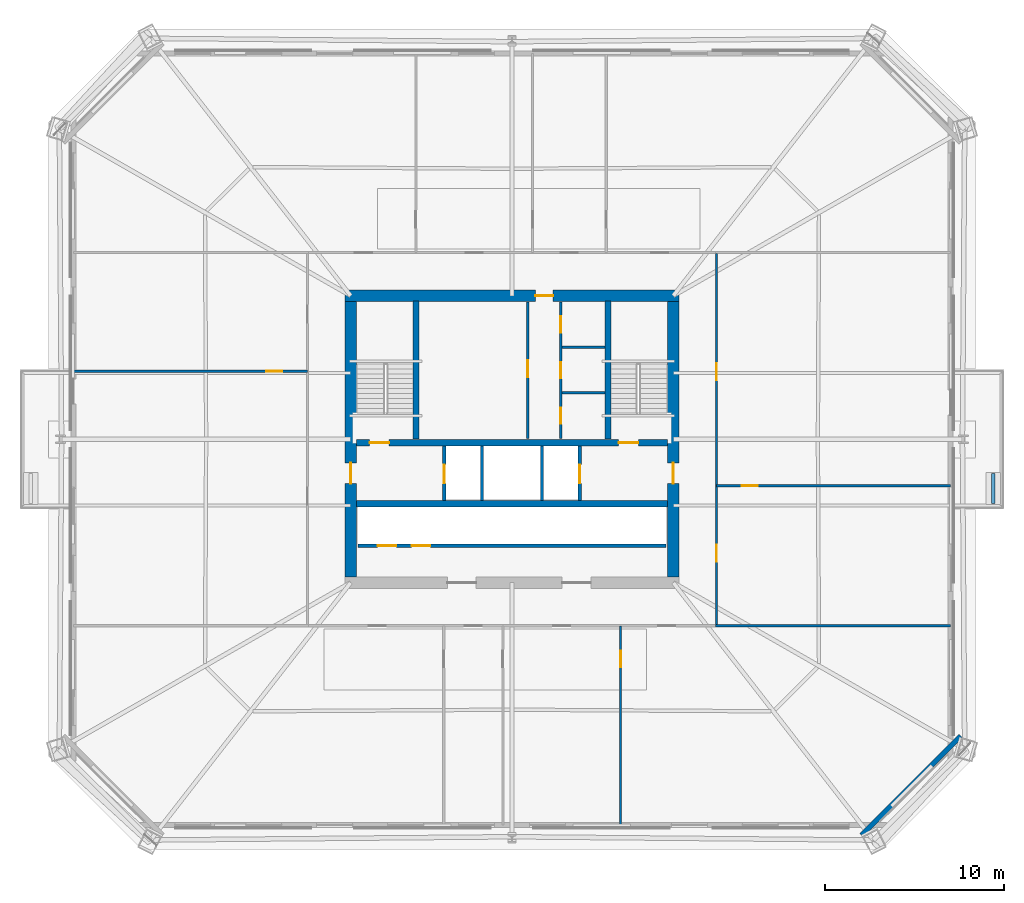
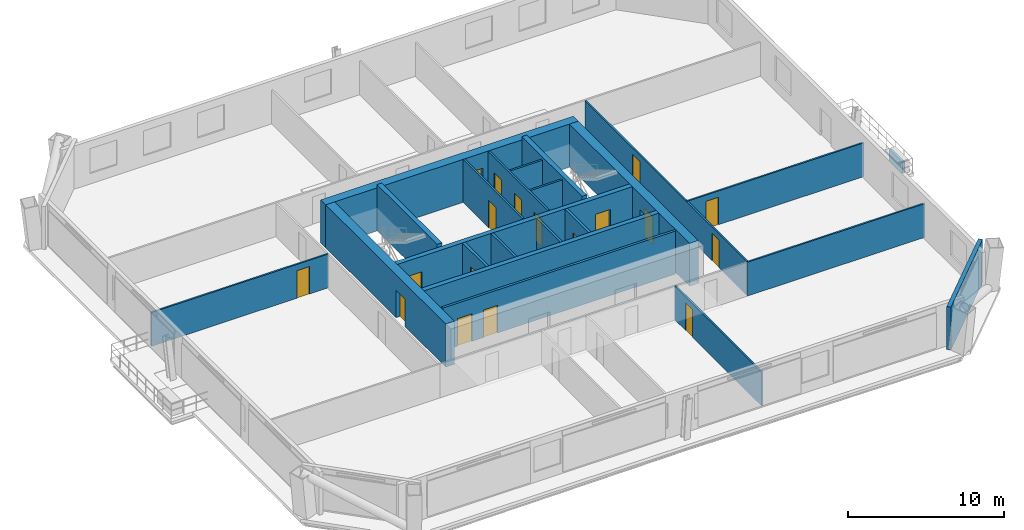
# One storey, part 6 of 11: 23 walls, 18 doors, 18 openings.
"""IFC4 building model written with IfcOpenShell, lengths in metres."""

from ifc_helpers import new_model, si_unit, direction, frame, frame_2d, origin, place, context, subcontext, project, spatial, rectangle, extrude, material, layer, layer_set, type_object, element, fill, save


model = new_model("IFC4")

# Units and contexts
model_context = context("Model", 3, precision=1e-05, world=origin(), true_north=direction((0.0, 1.0)))
body_context = subcontext(model_context, "Body", "Model", "MODEL_VIEW")
ifc_project = project(units=[si_unit("LENGTHUNIT", "METRE"), si_unit("AREAUNIT", "SQUARE_METRE"), si_unit("VOLUMEUNIT", "CUBIC_METRE"), si_unit("PLANEANGLEUNIT", "RADIAN"), si_unit("MASSUNIT", "GRAM", prefix="KILO")], contexts=[model_context])

# Site, building, storey
site_placement = place(None, origin())
site = spatial("IfcSite", under=ifc_project, at=site_placement, CompositionType="ELEMENT")
building_placement = place(site_placement, origin())
building = spatial("IfcBuilding", under=site, at=building_placement, Name="Caelvoria Tower", CompositionType="ELEMENT")
storey_placement = place(building_placement, frame((0.0, 0.0, 67.60009765625)))
storey = spatial("IfcBuildingStorey", under=building, at=storey_placement, Name="L17", CompositionType="ELEMENT", Elevation=67.60009765625)

# Wall
ifc_material_1 = material(Name="Bronze-Clad Concrete C40/50", Category="concrete")
ifc_layer_1 = layer(ifc_material_1, 0.179931640625, Name="Bronze-Clad Concrete C40/50")
ifc_layer_set_1 = layer_set([ifc_layer_1], Name="Architectural Planter Kerb Wall 180 - Bronze-Clad Concrete C40/50")
wall_type_1 = type_object("IfcWallType", Name="Architectural Planter Kerb Wall 180", PredefinedType="PARAPET", material=ifc_layer_set_1)
wall_1_placement = place(storey_placement, frame((72.85009765625, 28.39990234375, 0.0), z_axis=(0.0, 0.0, 1.0), x_axis=(0.0, 1.0, 0.0)))
element("IfcWall", 1, at=wall_1_placement, inside=storey, type_object=wall_type_1, Name="Tree Balcony Planter Kerb PLANTER TB-L17-E", PredefinedType="PARAPET", context=body_context, shape_type="SweptSolid", body=[
    extrude(rectangle(XDim=1.7001953125, YDim=0.179931640625, at=frame_2d((0.85009765625, 0.0))), origin(), (0.0, 0.0, 1.0), 0.8798828125),
])

# Wall, openings, doors
ifc_material_2 = material(Name="Concrete C50/60", Category="concrete")
ifc_layer_2 = layer(ifc_material_2, 0.35009765625, Name="Concrete C50/60")
ifc_layer_set_2 = layer_set([ifc_layer_2], Name="Core Internal Shear Wall 350 - Concrete C50/60")
wall_type_2 = type_object("IfcWallType", Name="Core Internal Shear Wall 350", PredefinedType="SHEAR", material=ifc_layer_set_2)
wall_2_placement = place(storey_placement, frame((37.324951171875, 31.800048828125, 0.0), z_axis=(0.0, 0.0, 1.0), x_axis=(1.0, 0.0, 0.0)))
wall_2 = element("IfcWall", 2, at=wall_2_placement, inside=storey, type_object=wall_type_2, Name="Core Shear Wall L17 M1", PredefinedType="SHEAR", context=body_context, shape_type="SweptSolid", body=[
    extrude(rectangle(XDim=17.35009765625, YDim=0.35009765625, at=frame_2d((8.675048828125, 0.0))), origin(), (0.0, 0.0, 1.0), 3.35986328125),
])
opening_1_placement = place(wall_2_placement, frame((0.72509765625, 0.0, 0.0)))
opening_1 = element("IfcOpeningElement", 3, at=opening_1_placement, cuts=wall_2, Name="Opening ID-01", PredefinedType="OPENING", context=body_context, shape_type="SweptSolid", body=[
    extrude(rectangle(XDim=1.10009765625, YDim=2.14990234375, at=frame_2d((0.550048828125, 1.074951171875))), frame((0.0, 0.18505859375, 0.0), z_axis=(0.0, -1.0, 0.0), x_axis=(1.0, 0.0, 0.0)), (0.0, 0.0, 1.0), 0.3701171875),
])
opening_2_placement = place(wall_2_placement, frame((14.625, 0.0, 0.0)))
opening_2 = element("IfcOpeningElement", 4, at=opening_2_placement, cuts=wall_2, Name="Opening ID-01", PredefinedType="OPENING", context=body_context, shape_type="SweptSolid", body=[
    extrude(rectangle(XDim=1.10009765625, YDim=2.14990234375, at=frame_2d((0.550048828125, 1.074951171875))), frame((0.0, 0.18505859375, 0.0), z_axis=(0.0, -1.0, 0.0), x_axis=(1.0, 0.0, 0.0)), (0.0, 0.0, 1.0), 0.3701171875),
])
ifc_material_3 = material(Name="Painted Hollow Steel Fire Door", Category="steel")
door_type_1 = type_object("IfcDoorType", Name="Fire Door FD90S 1100x2150", OperationType="NOTDEFINED", PredefinedType="DOOR", material=ifc_material_3)
door_1_placement = place(opening_1_placement, origin())
door_1 = element("IfcDoor", 5, at=door_1_placement, inside=storey, type_object=door_type_1, Name="Core Door DR-L17-ST1", OperationType="SINGLE_SWING_LEFT", OverallHeight=2.14990234375, OverallWidth=1.10009765625, PredefinedType="DOOR", context=body_context, shape_type="SweptSolid", body=[
    extrude(rectangle(XDim=1.10009765625, YDim=2.14990234375, at=frame_2d((0.550048828125, 1.074951171875))), frame((0.0, 0.02490234375, 0.0), z_axis=(0.0, -1.0, 0.0), x_axis=(1.0, 0.0, 0.0)), (0.0, 0.0, 1.0), 0.050048828125),
])
fill(opening_1, door_1)
door_2_placement = place(opening_2_placement, origin())
door_2 = element("IfcDoor", 6, at=door_2_placement, inside=storey, type_object=door_type_1, Name="Core Door DR-L17-ST2", OperationType="SINGLE_SWING_RIGHT", OverallHeight=2.14990234375, OverallWidth=1.10009765625, PredefinedType="DOOR", context=body_context, shape_type="SweptSolid", body=[
    extrude(rectangle(XDim=1.10009765625, YDim=2.14990234375, at=frame_2d((0.550048828125, 1.074951171875))), frame((0.0, 0.02490234375, 0.0), z_axis=(0.0, -1.0, 0.0), x_axis=(1.0, 0.0, 0.0)), (0.0, 0.0, 1.0), 0.050048828125),
])
fill(opening_2, door_2)

# Walls
wall_3_placement = place(storey_placement, frame((37.324951171875, 28.39990234375, 0.0), z_axis=(0.0, 0.0, 1.0), x_axis=(1.0, 0.0, 0.0)))
element("IfcWall", 7, at=wall_3_placement, inside=storey, type_object=wall_type_2, Name="Core Shear Wall L17 M2", PredefinedType="SHEAR", context=body_context, shape_type="SweptSolid", body=[
    extrude(rectangle(XDim=17.35009765625, YDim=0.35009765625, at=frame_2d((8.675048828125, 0.0))), origin(), (0.0, 0.0, 1.0), 3.35986328125),
])
for number, where, z_axis, x_axis, name in (
    (8, (40.64990234375, 32.0, 0.0), (0.0, 0.0, 1.0), (0.0, 1.0, 0.0), "Interior Partition IW-L17-ST1E"),
    (9, (51.35009765625, 32.0, 0.0), (0.0, 0.0, 1.0), (0.0, 1.0, 0.0), "Interior Partition IW-L17-ST2W"),
):
    element("IfcWall", number, at=place(storey_placement, frame(where, z_axis=z_axis, x_axis=x_axis)), inside=storey, type_object=wall_type_2, Name=name, PredefinedType="SHEAR", context=body_context, shape_type="SweptSolid", body=[
        extrude(rectangle(XDim=7.699951171875, YDim=0.35009765625, at=frame_2d((3.85009765625, 0.0))), origin(), (0.0, 0.0, 1.0), 3.599853515625),
    ])

# Wall, opening, door
ifc_material_4 = material(Name="Moisture-Resistant Gypsum on Steel Stud", Category="steel")
ifc_layer_3 = layer(ifc_material_4, 0.139892578125, Name="Moisture-Resistant Gypsum on Steel Stud")
ifc_layer_set_3 = layer_set([ifc_layer_3], Name="Core Sanitary Acoustic Partition Wall 140 - Moisture-Resistant Gypsum on Steel Stud")
wall_type_3 = type_object("IfcWallType", Name="Core Sanitary Acoustic Partition Wall 140", PredefinedType="PARTITIONING", material=ifc_layer_set_3)
wall_4_placement = place(storey_placement, frame((46.8798828125, 32.050048828125, 0.0), z_axis=(0.0, 0.0, 1.0), x_axis=(0.0, 1.0, 0.0)))
wall_4 = element("IfcWall", 10, at=wall_4_placement, inside=storey, type_object=wall_type_3, Name="Interior Partition IW-L17-C2L", PredefinedType="PARTITIONING", context=body_context, shape_type="SweptSolid", body=[
    extrude(rectangle(XDim=7.599853515625, YDim=0.139892578125, at=frame_2d((3.7998046875, 0.0))), origin(), (0.0, 0.0, 1.0), 3.35986328125),
])
opening_3_placement = place(wall_4_placement, frame((3.39990234375, 0.0, 0.0)))
opening_3 = element("IfcOpeningElement", 11, at=opening_3_placement, cuts=wall_4, Name="Opening ID-05", PredefinedType="OPENING", context=body_context, shape_type="SweptSolid", body=[
    extrude(rectangle(XDim=0.949951171875, YDim=2.14990234375, at=frame_2d((0.47509765625, 1.074951171875))), frame((0.0, 0.079833984375, 0.0), z_axis=(0.0, -1.0, 0.0), x_axis=(1.0, 0.0, 0.0)), (0.0, 0.0, 1.0), 0.159912109375),
])
ifc_material_5 = material(Name="Engineered Andean Oak Veneer Door", Category="wood")
door_type_2 = type_object("IfcDoorType", Name="Interior Timber Door 950x2150", OperationType="NOTDEFINED", PredefinedType="DOOR", material=ifc_material_5)
door_3_placement = place(opening_3_placement, origin())
door_3 = element("IfcDoor", 12, at=door_3_placement, inside=storey, type_object=door_type_2, Name="Interior Door DR-L17-C2W", OperationType="SINGLE_SWING_LEFT", OverallHeight=2.14990234375, OverallWidth=0.949951171875, PredefinedType="DOOR", context=body_context, shape_type="SweptSolid", body=[
    extrude(rectangle(XDim=0.949951171875, YDim=2.14990234375, at=frame_2d((0.47509765625, 1.074951171875))), frame((0.0, 0.02490234375, 0.0), z_axis=(0.0, -1.0, 0.0), x_axis=(1.0, 0.0, 0.0)), (0.0, 0.0, 1.0), 0.050048828125),
])
fill(opening_3, door_3)

# Wall, openings, doors
wall_5_placement = place(storey_placement, frame((48.719970703125, 32.050048828125, 0.0), z_axis=(0.0, 0.0, 1.0), x_axis=(0.0, 1.0, 0.0)))
wall_5 = element("IfcWall", 13, at=wall_5_placement, inside=storey, type_object=wall_type_3, Name="Interior Partition IW-L17-C2R", PredefinedType="PARTITIONING", context=body_context, shape_type="SweptSolid", body=[
    extrude(rectangle(XDim=7.599853515625, YDim=0.139892578125, at=frame_2d((3.7998046875, 0.0))), origin(), (0.0, 0.0, 1.0), 3.35986328125),
])
opening_4_placement = place(wall_5_placement, frame((0.800048828125, 0.0, 0.0)))
opening_4 = element("IfcOpeningElement", 14, at=opening_4_placement, cuts=wall_5, Name="Opening ID-04", PredefinedType="OPENING", context=body_context, shape_type="SweptSolid", body=[
    extrude(rectangle(XDim=0.89990234375, YDim=2.14990234375, at=frame_2d((0.449951171875, 1.074951171875))), frame((0.0, 0.079833984375, 0.0), z_axis=(0.0, -1.0, 0.0), x_axis=(1.0, 0.0, 0.0)), (0.0, 0.0, 1.0), 0.159912109375),
])
opening_5_placement = place(wall_5_placement, frame((3.35009765625, 0.0, 0.0)))
opening_5 = element("IfcOpeningElement", 15, at=opening_5_placement, cuts=wall_5, Name="Opening ID-06", PredefinedType="OPENING", context=body_context, shape_type="SweptSolid", body=[
    extrude(rectangle(XDim=0.89990234375, YDim=2.14990234375, at=frame_2d((0.449951171875, 1.074951171875))), frame((0.0, 0.079833984375, 0.0), z_axis=(0.0, -1.0, 0.0), x_axis=(1.0, 0.0, 0.0)), (0.0, 0.0, 1.0), 0.159912109375),
])
opening_6_placement = place(wall_5_placement, frame((5.89990234375, 0.0, 0.0)))
opening_6 = element("IfcOpeningElement", 16, at=opening_6_placement, cuts=wall_5, Name="Opening ID-07", PredefinedType="OPENING", context=body_context, shape_type="SweptSolid", body=[
    extrude(rectangle(XDim=0.919921875, YDim=2.14990234375, at=frame_2d((0.4599609375, 1.074951171875))), frame((0.0, 0.079833984375, 0.0), z_axis=(0.0, -1.0, 0.0), x_axis=(1.0, 0.0, 0.0)), (0.0, 0.0, 1.0), 0.159912109375),
])
ifc_material_6 = material(Name="Engineered Andean Oak Accessible Door", Category="wood")
door_type_3 = type_object("IfcDoorType", Name="Accessible WC Door 950x2150", OperationType="NOTDEFINED", PredefinedType="DOOR", material=ifc_material_6)
door_4_placement = place(opening_6_placement, origin())
door_4 = element("IfcDoor", 17, at=door_4_placement, inside=storey, type_object=door_type_3, Name="Interior Door DR-L17-C2E3", OperationType="SINGLE_SWING_RIGHT", OverallHeight=2.14990234375, OverallWidth=0.919921875, PredefinedType="DOOR", context=body_context, shape_type="SweptSolid", body=[
    extrude(rectangle(XDim=0.919921875, YDim=2.14990234375, at=frame_2d((0.4599609375, 1.074951171875))), frame((0.0, 0.02490234375, 0.0), z_axis=(0.0, -1.0, 0.0), x_axis=(1.0, 0.0, 0.0)), (0.0, 0.0, 1.0), 0.050048828125),
])
fill(opening_6, door_4)
ifc_material_7 = material(Name="Acoustic Timber Fire Door", Category="wood")
door_type_4 = type_object("IfcDoorType", Name="Fire Door FD30S 900x2150", OperationType="NOTDEFINED", PredefinedType="DOOR", material=ifc_material_7)
door_5_placement = place(opening_4_placement, origin())
door_5 = element("IfcDoor", 18, at=door_5_placement, inside=storey, type_object=door_type_4, Name="Interior Door DR-L17-C2E1", OperationType="SINGLE_SWING_RIGHT", OverallHeight=2.14990234375, OverallWidth=0.89990234375, PredefinedType="DOOR", context=body_context, shape_type="SweptSolid", body=[
    extrude(rectangle(XDim=0.89990234375, YDim=2.14990234375, at=frame_2d((0.449951171875, 1.074951171875))), frame((0.0, 0.02490234375, 0.0), z_axis=(0.0, -1.0, 0.0), x_axis=(1.0, 0.0, 0.0)), (0.0, 0.0, 1.0), 0.050048828125),
])
fill(opening_4, door_5)
door_type_5 = type_object("IfcDoorType", Name="Interior Timber Door 900x2150", OperationType="NOTDEFINED", PredefinedType="DOOR", material=ifc_material_5)
door_6_placement = place(opening_5_placement, origin())
door_6 = element("IfcDoor", 19, at=door_6_placement, inside=storey, type_object=door_type_5, Name="Interior Door DR-L17-C2E2", OperationType="SINGLE_SWING_LEFT", OverallHeight=2.14990234375, OverallWidth=0.89990234375, PredefinedType="DOOR", context=body_context, shape_type="SweptSolid", body=[
    extrude(rectangle(XDim=0.89990234375, YDim=2.14990234375, at=frame_2d((0.449951171875, 1.074951171875))), frame((0.0, 0.02490234375, 0.0), z_axis=(0.0, -1.0, 0.0), x_axis=(1.0, 0.0, 0.0)), (0.0, 0.0, 1.0), 0.050048828125),
])
fill(opening_5, door_6)

# Walls
for number, where, z_axis, x_axis, name in (
    (20, (48.800048828125, 34.580078125, 0.0), (0.0, 0.0, 1.0), (1.0, 0.0, 0.0), "Interior Partition IW-L17-C2H1"),
    (21, (48.800048828125, 37.1201171875, 0.0), (0.0, 0.0, 1.0), (1.0, 0.0, 0.0), "Interior Partition IW-L17-C2H2"),
):
    element("IfcWall", number, at=place(storey_placement, frame(where, z_axis=z_axis, x_axis=x_axis)), inside=storey, type_object=wall_type_3, Name=name, PredefinedType="PARTITIONING", context=body_context, shape_type="SweptSolid", body=[
        extrude(rectangle(XDim=2.39990234375, YDim=0.139892578125, at=frame_2d((1.199951171875, 0.0))), origin(), (0.0, 0.0, 1.0), 3.35986328125),
    ])
ifc_material_8 = material(Name="Precast Concrete C40/50 with Bronze Cladding", Category="concrete")
ifc_layer_4 = layer(ifc_material_8, 0.280029296875, Name="Precast Concrete C40/50 with Bronze Cladding")
ifc_layer_set_4 = layer_set([ifc_layer_4], Name="Exterior Precast Concrete C40/50 Bronze-Clad Facade Wall 280 - Precast Concrete C40/50 with Bronze Cladding")
wall_type_4 = type_object("IfcWallType", Name="Exterior Precast Concrete C40/50 Bronze-Clad Facade Wall 280", PredefinedType="STANDARD", material=ifc_layer_set_4)
wall_6_placement = place(storey_placement, frame((65.50439453125, 9.906005859375, 0.0), z_axis=(0.0, 0.0, 1.0), x_axis=(0.707106781187, 0.707106781187, 0.0)))
element("IfcWall", 22, at=wall_6_placement, inside=storey, type_object=wall_type_4, Name="Exterior Facade Wall L17-E1", PredefinedType="STANDARD", context=body_context, shape_type="SweptSolid", body=[
    extrude(rectangle(XDim=7.834228515625, YDim=0.280029296875, at=frame_2d((3.9169921875, 0.0))), origin(), (0.0, 0.0, 1.0), 3.35986328125),
])
ifc_material_9 = material(Name="Concrete Block and Fireboard Assembly", Category="concrete")
ifc_layer_5 = layer(ifc_material_9, 0.179931640625, Name="Concrete Block and Fireboard Assembly")
ifc_layer_set_5 = layer_set([ifc_layer_5], Name="Fire-Rated Hoistway Partition Wall 180 - Concrete Block and Fireboard Assembly")
wall_type_5 = type_object("IfcWallType", Name="Fire-Rated Hoistway Partition Wall 180", PredefinedType="PARTITIONING", material=ifc_layer_set_5)
for number, where, z_axis, x_axis, name in (
    (23, (44.320068359375, 28.580078125, 0.0), (0.0, 0.0, 1.0), (0.0, 1.0, 0.0), "Interior Partition IW-L17-SV1W"),
    (24, (47.679931640625, 28.580078125, 0.0), (0.0, 0.0, 1.0), (0.0, 1.0, 0.0), "Interior Partition IW-L17-SV1E"),
):
    element("IfcWall", number, at=place(storey_placement, frame(where, z_axis=z_axis, x_axis=x_axis)), inside=storey, type_object=wall_type_5, Name=name, PredefinedType="PARTITIONING", context=body_context, shape_type="SweptSolid", body=[
        extrude(rectangle(XDim=3.0400390625, YDim=0.179931640625, at=frame_2d((1.52001953125, 0.0))), origin(), (0.0, 0.0, 1.0), 3.35986328125),
    ])

# Wall, openings, doors
wall_7_placement = place(storey_placement, frame((37.39990234375, 26.050048828125, 0.0), z_axis=(0.0, 0.0, 1.0), x_axis=(1.0, 0.0, 0.0)))
wall_7 = element("IfcWall", 25, at=wall_7_placement, inside=storey, type_object=wall_type_5, Name="Interior Partition IW-L17-LFRONT", PredefinedType="PARTITIONING", context=body_context, shape_type="SweptSolid", body=[
    extrude(rectangle(XDim=17.2001953125, YDim=0.179931640625, at=frame_2d((8.60009765625, 0.0))), origin(), (0.0, 0.0, 1.0), 3.35986328125),
])
opening_7_placement = place(wall_7_placement, frame((1.10009765625, 0.0, 0.0)))
opening_7 = element("IfcOpeningElement", 26, at=opening_7_placement, cuts=wall_7, Name="Opening LD-01", PredefinedType="OPENING", context=body_context, shape_type="SweptSolid", body=[
    extrude(rectangle(XDim=1.050048828125, YDim=2.14990234375, at=frame_2d((0.52490234375, 1.074951171875))), frame((0.0, 0.099853515625, 0.0), z_axis=(0.0, -1.0, 0.0), x_axis=(1.0, 0.0, 0.0)), (0.0, 0.0, 1.0), 0.199951171875),
])
opening_8_placement = place(wall_7_placement, frame((3.0, 0.0, 0.0)))
opening_8 = element("IfcOpeningElement", 27, at=opening_8_placement, cuts=wall_7, Name="Opening LD-01", PredefinedType="OPENING", context=body_context, shape_type="SweptSolid", body=[
    extrude(rectangle(XDim=1.050048828125, YDim=2.14990234375, at=frame_2d((0.52490234375, 1.074951171875))), frame((0.0, 0.099853515625, 0.0), z_axis=(0.0, -1.0, 0.0), x_axis=(1.0, 0.0, 0.0)), (0.0, 0.0, 1.0), 0.199951171875),
])
ifc_material_10 = material(Name="Brushed Bronze Stainless Sliding Landing Door", Category="aluminium")
door_type_6 = type_object("IfcDoorType", Name="Lift Landing Sliding Door 1100x2150", OperationType="NOTDEFINED", PredefinedType="DOOR", material=ifc_material_10)
door_7_placement = place(opening_7_placement, origin())
door_7 = element("IfcDoor", 28, at=door_7_placement, inside=storey, type_object=door_type_6, Name="Interior Door LD-L17-PL1", OperationType="SLIDING_TO_LEFT", OverallHeight=2.14990234375, OverallWidth=1.050048828125, PredefinedType="DOOR", context=body_context, shape_type="SweptSolid", body=[
    extrude(rectangle(XDim=1.050048828125, YDim=2.14990234375, at=frame_2d((0.52490234375, 1.074951171875))), frame((0.0, 0.02490234375, 0.0), z_axis=(0.0, -1.0, 0.0), x_axis=(1.0, 0.0, 0.0)), (0.0, 0.0, 1.0), 0.050048828125),
])
fill(opening_7, door_7)
door_8_placement = place(opening_8_placement, origin())
door_8 = element("IfcDoor", 29, at=door_8_placement, inside=storey, type_object=door_type_6, Name="Interior Door LD-L17-PL2", OperationType="SLIDING_TO_RIGHT", OverallHeight=2.14990234375, OverallWidth=1.050048828125, PredefinedType="DOOR", context=body_context, shape_type="SweptSolid", body=[
    extrude(rectangle(XDim=1.050048828125, YDim=2.14990234375, at=frame_2d((0.52490234375, 1.074951171875))), frame((0.0, 0.02490234375, 0.0), z_axis=(0.0, -1.0, 0.0), x_axis=(1.0, 0.0, 0.0)), (0.0, 0.0, 1.0), 0.050048828125),
])
fill(opening_8, door_8)

# Wall, opening, door
ifc_layer_6 = layer(ifc_material_9, 0.199951171875, Name="Concrete Block and Fireboard Assembly")
ifc_layer_set_6 = layer_set([ifc_layer_6], Name="Fire-Rated Shaft and Core Partition Wall 200 - Concrete Block and Fireboard Assembly")
wall_type_6 = type_object("IfcWallType", Name="Fire-Rated Shaft and Core Partition Wall 200", PredefinedType="PARTITIONING", material=ifc_layer_set_6)
wall_8_placement = place(storey_placement, frame((42.219970703125, 28.580078125, 0.0), z_axis=(0.0, 0.0, 1.0), x_axis=(0.0, 1.0, 0.0)))
wall_8 = element("IfcWall", 30, at=wall_8_placement, inside=storey, type_object=wall_type_6, Name="Interior Partition IW-L17-LF1W", PredefinedType="PARTITIONING", context=body_context, shape_type="SweptSolid", body=[
    extrude(rectangle(XDim=3.0400390625, YDim=0.199951171875, at=frame_2d((1.52001953125, 0.0))), origin(), (0.0, 0.0, 1.0), 3.35986328125),
])
opening_9_placement = place(wall_8_placement, frame((0.949951171875, 0.0, 0.0)))
opening_9 = element("IfcOpeningElement", 31, at=opening_9_placement, cuts=wall_8, Name="Opening LD-01", PredefinedType="OPENING", context=body_context, shape_type="SweptSolid", body=[
    extrude(rectangle(XDim=1.050048828125, YDim=2.14990234375, at=frame_2d((0.52490234375, 1.074951171875))), frame((0.0, 0.10986328125, 0.0), z_axis=(0.0, -1.0, 0.0), x_axis=(1.0, 0.0, 0.0)), (0.0, 0.0, 1.0), 0.219970703125),
])
door_9_placement = place(opening_9_placement, origin())
door_9 = element("IfcDoor", 32, at=door_9_placement, inside=storey, type_object=door_type_6, Name="Interior Door LD-L17-LF1", OperationType="SLIDING_TO_LEFT", OverallHeight=2.14990234375, OverallWidth=1.050048828125, PredefinedType="DOOR", context=body_context, shape_type="SweptSolid", body=[
    extrude(rectangle(XDim=1.050048828125, YDim=2.14990234375, at=frame_2d((0.52490234375, 1.074951171875))), frame((0.0, 0.02490234375, 0.0), z_axis=(0.0, -1.0, 0.0), x_axis=(1.0, 0.0, 0.0)), (0.0, 0.0, 1.0), 0.050048828125),
])
fill(opening_9, door_9)

wall_9_placement = place(storey_placement, frame((49.780029296875, 28.580078125, 0.0), z_axis=(0.0, 0.0, 1.0), x_axis=(0.0, 1.0, 0.0)))
wall_9 = element("IfcWall", 33, at=wall_9_placement, inside=storey, type_object=wall_type_6, Name="Interior Partition IW-L17-LF2E", PredefinedType="PARTITIONING", context=body_context, shape_type="SweptSolid", body=[
    extrude(rectangle(XDim=3.0400390625, YDim=0.199951171875, at=frame_2d((1.52001953125, 0.0))), origin(), (0.0, 0.0, 1.0), 3.35986328125),
])
opening_10_placement = place(wall_9_placement, frame((0.949951171875, 0.0, 0.0)))
opening_10 = element("IfcOpeningElement", 34, at=opening_10_placement, cuts=wall_9, Name="Opening LD-01", PredefinedType="OPENING", context=body_context, shape_type="SweptSolid", body=[
    extrude(rectangle(XDim=1.050048828125, YDim=2.14990234375, at=frame_2d((0.52490234375, 1.074951171875))), frame((0.0, 0.10986328125, 0.0), z_axis=(0.0, -1.0, 0.0), x_axis=(1.0, 0.0, 0.0)), (0.0, 0.0, 1.0), 0.219970703125),
])
door_10_placement = place(opening_10_placement, origin())
door_10 = element("IfcDoor", 35, at=door_10_placement, inside=storey, type_object=door_type_6, Name="Interior Door LD-L17-LF2", OperationType="SLIDING_TO_RIGHT", OverallHeight=2.14990234375, OverallWidth=1.050048828125, PredefinedType="DOOR", context=body_context, shape_type="SweptSolid", body=[
    extrude(rectangle(XDim=1.050048828125, YDim=2.14990234375, at=frame_2d((0.52490234375, 1.074951171875))), frame((0.0, 0.02490234375, 0.0), z_axis=(0.0, -1.0, 0.0), x_axis=(1.0, 0.0, 0.0)), (0.0, 0.0, 1.0), 0.050048828125),
])
fill(opening_10, door_10)

ifc_material_11 = material(Name="Concrete C60/75", Category="concrete")
ifc_layer_7 = layer(ifc_material_11, 0.64990234375, Name="Concrete C60/75")
ifc_layer_set_7 = layer_set([ifc_layer_7], Name="Lower Core Shear Wall 650 - Concrete C60/75")
wall_type_7 = type_object("IfcWallType", Name="Lower Core Shear Wall 650", PredefinedType="SHEAR", material=ifc_layer_set_7)
wall_10_placement = place(storey_placement, frame((36.675048828125, 40.0, 0.0), z_axis=(0.0, 0.0, 1.0), x_axis=(1.0, 0.0, 0.0)))
wall_10 = element("IfcWall", 36, at=wall_10_placement, inside=storey, type_object=wall_type_7, Name="Core Shear Wall L17 N", PredefinedType="SHEAR", context=body_context, shape_type="SweptSolid", body=[
    extrude(rectangle(XDim=18.64990234375, YDim=0.64990234375, at=frame_2d((9.324951171875, 0.0))), origin(), (0.0, 0.0, 1.0), 3.35986328125),
])
opening_11_placement = place(wall_10_placement, frame((10.625, 0.0, 0.0)))
opening_11 = element("IfcOpeningElement", 37, at=opening_11_placement, cuts=wall_10, Name="Opening ID-03", PredefinedType="OPENING", context=body_context, shape_type="SweptSolid", body=[
    extrude(rectangle(XDim=1.0, YDim=2.14990234375, at=frame_2d((0.5, 1.074951171875))), frame((0.0, 0.3349609375, 0.0), z_axis=(0.0, -1.0, 0.0), x_axis=(1.0, 0.0, 0.0)), (0.0, 0.0, 1.0), 0.669921875),
])
door_type_7 = type_object("IfcDoorType", Name="Fire Door FD60S 1000x2150", OperationType="NOTDEFINED", PredefinedType="DOOR", material=ifc_material_3)
door_11_placement = place(opening_11_placement, origin())
door_11 = element("IfcDoor", 38, at=door_11_placement, inside=storey, type_object=door_type_7, Name="Core Door DR-L17-WC-MAIN", OperationType="SINGLE_SWING_RIGHT", OverallHeight=2.14990234375, OverallWidth=1.0, PredefinedType="DOOR", context=body_context, shape_type="SweptSolid", body=[
    extrude(rectangle(XDim=1.0, YDim=2.14990234375, at=frame_2d((0.5, 1.074951171875))), frame((0.0, 0.02490234375, 0.0), z_axis=(0.0, -1.0, 0.0), x_axis=(1.0, 0.0, 0.0)), (0.0, 0.0, 1.0), 0.050048828125),
])
fill(opening_11, door_11)

wall_11_placement = place(storey_placement, frame((37.0, 24.324951171875, 0.0), z_axis=(0.0, 0.0, 1.0), x_axis=(0.0, 1.0, 0.0)))
wall_11 = element("IfcWall", 39, at=wall_11_placement, inside=storey, type_object=wall_type_7, Name="Core Shear Wall L17 W", PredefinedType="SHEAR", context=body_context, shape_type="SweptSolid", body=[
    extrude(rectangle(XDim=15.35009765625, YDim=0.64990234375, at=frame_2d((7.675048828125, 0.0))), origin(), (0.0, 0.0, 1.0), 3.35986328125),
])
opening_12_placement = place(wall_11_placement, frame((5.199951171875, 0.0, 0.0)))
opening_12 = element("IfcOpeningElement", 40, at=opening_12_placement, cuts=wall_11, Name="Opening ID-02", PredefinedType="OPENING", context=body_context, shape_type="SweptSolid", body=[
    extrude(rectangle(XDim=1.14990234375, YDim=2.14990234375, at=frame_2d((0.574951171875, 1.074951171875))), frame((0.0, 0.3349609375, 0.0), z_axis=(0.0, -1.0, 0.0), x_axis=(1.0, 0.0, 0.0)), (0.0, 0.0, 1.0), 0.669921875),
])
door_type_8 = type_object("IfcDoorType", Name="Fire Door FD60S 1150x2150", OperationType="NOTDEFINED", PredefinedType="DOOR", material=ifc_material_3)
door_12_placement = place(opening_12_placement, origin())
door_12 = element("IfcDoor", 41, at=door_12_placement, inside=storey, type_object=door_type_8, Name="Core Door DR-L17-FFLW-OUT", OperationType="SINGLE_SWING_LEFT", OverallHeight=2.14990234375, OverallWidth=1.14990234375, PredefinedType="DOOR", context=body_context, shape_type="SweptSolid", body=[
    extrude(rectangle(XDim=1.14990234375, YDim=2.14990234375, at=frame_2d((0.574951171875, 1.074951171875))), frame((0.0, 0.02490234375, 0.0), z_axis=(0.0, -1.0, 0.0), x_axis=(1.0, 0.0, 0.0)), (0.0, 0.0, 1.0), 0.050048828125),
])
fill(opening_12, door_12)

wall_12_placement = place(storey_placement, frame((55.0, 24.324951171875, 0.0), z_axis=(0.0, 0.0, 1.0), x_axis=(0.0, 1.0, 0.0)))
wall_12 = element("IfcWall", 42, at=wall_12_placement, inside=storey, type_object=wall_type_7, Name="Core Shear Wall L17 E", PredefinedType="SHEAR", context=body_context, shape_type="SweptSolid", body=[
    extrude(rectangle(XDim=15.35009765625, YDim=0.64990234375, at=frame_2d((7.675048828125, 0.0))), origin(), (0.0, 0.0, 1.0), 3.35986328125),
])
opening_13_placement = place(wall_12_placement, frame((5.199951171875, 0.0, 0.0)))
opening_13 = element("IfcOpeningElement", 43, at=opening_13_placement, cuts=wall_12, Name="Opening ID-02", PredefinedType="OPENING", context=body_context, shape_type="SweptSolid", body=[
    extrude(rectangle(XDim=1.14990234375, YDim=2.14990234375, at=frame_2d((0.574951171875, 1.074951171875))), frame((0.0, 0.3349609375, 0.0), z_axis=(0.0, -1.0, 0.0), x_axis=(1.0, 0.0, 0.0)), (0.0, 0.0, 1.0), 0.669921875),
])
door_13_placement = place(opening_13_placement, origin())
door_13 = element("IfcDoor", 44, at=door_13_placement, inside=storey, type_object=door_type_8, Name="Core Door DR-L17-FFLE-OUT", OperationType="SINGLE_SWING_RIGHT", OverallHeight=2.14990234375, OverallWidth=1.14990234375, PredefinedType="DOOR", context=body_context, shape_type="SweptSolid", body=[
    extrude(rectangle(XDim=1.14990234375, YDim=2.14990234375, at=frame_2d((0.574951171875, 1.074951171875))), frame((0.0, 0.02490234375, 0.0), z_axis=(0.0, -1.0, 0.0), x_axis=(1.0, 0.0, 0.0)), (0.0, 0.0, 1.0), 0.050048828125),
])
fill(opening_13, door_13)

ifc_material_12 = material(Name="Acoustic Gypsum Board on Light-Gauge Stud", Category="gypsum")
ifc_layer_8 = layer(ifc_material_12, 0.1201171875, Name="Acoustic Gypsum Board on Light-Gauge Stud")
ifc_layer_set_8 = layer_set([ifc_layer_8], Name="Tenant Suite Acoustic Partition Wall 120 - Acoustic Gypsum Board on Light-Gauge Stud")
wall_type_8 = type_object("IfcWallType", Name="Tenant Suite Acoustic Partition Wall 120", PredefinedType="PARTITIONING", material=ifc_layer_set_8)
wall_13_placement = place(storey_placement, frame((52.05810546875, 21.590087890625, 0.0), z_axis=(0.0, 0.0, 1.0), x_axis=(0.0, -1.0, 0.0)))
wall_13 = element("IfcWall", 45, at=wall_13_placement, inside=storey, type_object=wall_type_8, Name="Interior Partition IW-L17-SD-02-0", PredefinedType="PARTITIONING", context=body_context, shape_type="SweptSolid", body=[
    extrude(rectangle(XDim=11.110107421875, YDim=0.1201171875, at=frame_2d((5.55517578125, 0.0))), origin(), (0.0, 0.0, 1.0), 2.639892578125),
])
opening_14_placement = place(wall_13_placement, frame((1.39990234375, 0.0, 0.0)))
opening_14 = element("IfcOpeningElement", 46, at=opening_14_placement, cuts=wall_13, Name="Opening ID-06", PredefinedType="OPENING", context=body_context, shape_type="SweptSolid", body=[
    extrude(rectangle(XDim=0.89990234375, YDim=2.14990234375, at=frame_2d((0.449951171875, 1.074951171875))), frame((0.0, 0.070068359375, 0.0), z_axis=(0.0, -1.0, 0.0), x_axis=(1.0, 0.0, 0.0)), (0.0, 0.0, 1.0), 0.14013671875),
])
door_14_placement = place(opening_14_placement, origin())
door_14 = element("IfcDoor", 47, at=door_14_placement, inside=storey, type_object=door_type_5, Name="Interior Door DR-L17-SM-02-0", OperationType="SINGLE_SWING_RIGHT", OverallHeight=2.14990234375, OverallWidth=0.89990234375, PredefinedType="DOOR", context=body_context, shape_type="SweptSolid", body=[
    extrude(rectangle(XDim=0.89990234375, YDim=2.14990234375, at=frame_2d((0.449951171875, 1.074951171875))), frame((0.0, 0.02490234375, 0.0), z_axis=(0.0, -1.0, 0.0), x_axis=(1.0, 0.0, 0.0)), (0.0, 0.0, 1.0), 0.050048828125),
])
fill(opening_14, door_14)

wall_14_placement = place(storey_placement, frame((34.590087890625, 35.791259765625, 0.0), z_axis=(0.0, 0.0, 1.0), x_axis=(-1.0, 0.0, 0.0)))
wall_14 = element("IfcWall", 48, at=wall_14_placement, inside=storey, type_object=wall_type_8, Name="Interior Partition IW-L17-WD-00-0", PredefinedType="PARTITIONING", context=body_context, shape_type="SweptSolid", body=[
    extrude(rectangle(XDim=13.06005859375, YDim=0.1201171875, at=frame_2d((6.530029296875, 0.0))), origin(), (0.0, 0.0, 1.0), 2.639892578125),
])
opening_15_placement = place(wall_14_placement, frame((1.39990234375, 0.0, 0.0)))
opening_15 = element("IfcOpeningElement", 49, at=opening_15_placement, cuts=wall_14, Name="Opening ID-06", PredefinedType="OPENING", context=body_context, shape_type="SweptSolid", body=[
    extrude(rectangle(XDim=0.89990234375, YDim=2.14990234375, at=frame_2d((0.449951171875, 1.074951171875))), frame((0.0, 0.070068359375, 0.0), z_axis=(0.0, -1.0, 0.0), x_axis=(1.0, 0.0, 0.0)), (0.0, 0.0, 1.0), 0.14013671875),
])
door_15_placement = place(opening_15_placement, origin())
door_15 = element("IfcDoor", 50, at=door_15_placement, inside=storey, type_object=door_type_5, Name="Interior Door DR-L17-WM-00-0", OperationType="SINGLE_SWING_RIGHT", OverallHeight=2.14990234375, OverallWidth=0.89990234375, PredefinedType="DOOR", context=body_context, shape_type="SweptSolid", body=[
    extrude(rectangle(XDim=0.89990234375, YDim=2.14990234375, at=frame_2d((0.449951171875, 1.074951171875))), frame((0.0, 0.02490234375, 0.0), z_axis=(0.0, -1.0, 0.0), x_axis=(1.0, 0.0, 0.0)), (0.0, 0.0, 1.0), 0.050048828125),
])
fill(opening_15, door_15)

wall_15_placement = place(storey_placement, frame((57.409912109375, 29.403564453125, 0.0), z_axis=(0.0, 0.0, 1.0), x_axis=(1.0, 0.0, 0.0)))
wall_15 = element("IfcWall", 51, at=wall_15_placement, inside=storey, type_object=wall_type_8, Name="Interior Partition IW-L17-ED-00-0", PredefinedType="PARTITIONING", context=body_context, shape_type="SweptSolid", body=[
    extrude(rectangle(XDim=13.06005859375, YDim=0.1201171875, at=frame_2d((6.530029296875, 0.0))), origin(), (0.0, 0.0, 1.0), 2.639892578125),
])
opening_16_placement = place(wall_15_placement, frame((1.39990234375, 0.0, 0.0)))
opening_16 = element("IfcOpeningElement", 52, at=opening_16_placement, cuts=wall_15, Name="Opening ID-06", PredefinedType="OPENING", context=body_context, shape_type="SweptSolid", body=[
    extrude(rectangle(XDim=0.89990234375, YDim=2.14990234375, at=frame_2d((0.449951171875, 1.074951171875))), frame((0.0, 0.070068359375, 0.0), z_axis=(0.0, -1.0, 0.0), x_axis=(1.0, 0.0, 0.0)), (0.0, 0.0, 1.0), 0.14013671875),
])
door_16_placement = place(opening_16_placement, origin())
door_16 = element("IfcDoor", 53, at=door_16_placement, inside=storey, type_object=door_type_5, Name="Interior Door DR-L17-EM-00-0", OperationType="SINGLE_SWING_RIGHT", OverallHeight=2.14990234375, OverallWidth=0.89990234375, PredefinedType="DOOR", context=body_context, shape_type="SweptSolid", body=[
    extrude(rectangle(XDim=0.89990234375, YDim=2.14990234375, at=frame_2d((0.449951171875, 1.074951171875))), frame((0.0, 0.02490234375, 0.0), z_axis=(0.0, -1.0, 0.0), x_axis=(1.0, 0.0, 0.0)), (0.0, 0.0, 1.0), 0.050048828125),
])
fill(opening_16, door_16)

# Wall, openings, doors
wall_16_placement = place(storey_placement, frame((57.409912109375, 21.64990234375, 0.0), z_axis=(0.0, 0.0, 1.0), x_axis=(0.0, 1.0, 0.0)))
wall_16 = element("IfcWall", 54, at=wall_16_placement, inside=storey, type_object=wall_type_8, Name="Interior Partition IW-L17-ECW-0", PredefinedType="PARTITIONING", context=body_context, shape_type="SweptSolid", body=[
    extrude(rectangle(XDim=20.7001953125, YDim=0.1201171875, at=frame_2d((10.35009765625, 0.0))), origin(), (0.0, 0.0, 1.0), 2.639892578125),
])
opening_17_placement = place(wall_16_placement, frame((3.501708984375, 0.0, 0.0)))
opening_17 = element("IfcOpeningElement", 55, at=opening_17_placement, cuts=wall_16, Name="Opening ID-05", PredefinedType="OPENING", context=body_context, shape_type="SweptSolid", body=[
    extrude(rectangle(XDim=0.949951171875, YDim=2.14990234375, at=frame_2d((0.47509765625, 1.074951171875))), frame((0.0, 0.070068359375, 0.0), z_axis=(0.0, -1.0, 0.0), x_axis=(1.0, 0.0, 0.0)), (0.0, 0.0, 1.0), 0.14013671875),
])
opening_18_placement = place(wall_16_placement, frame((13.65185546875, 0.0, 0.0)))
opening_18 = element("IfcOpeningElement", 56, at=opening_18_placement, cuts=wall_16, Name="Opening ID-05", PredefinedType="OPENING", context=body_context, shape_type="SweptSolid", body=[
    extrude(rectangle(XDim=0.949951171875, YDim=2.14990234375, at=frame_2d((0.47509765625, 1.074951171875))), frame((0.0, 0.070068359375, 0.0), z_axis=(0.0, -1.0, 0.0), x_axis=(1.0, 0.0, 0.0)), (0.0, 0.0, 1.0), 0.14013671875),
])
door_17_placement = place(opening_17_placement, origin())
door_17 = element("IfcDoor", 57, at=door_17_placement, inside=storey, type_object=door_type_2, Name="Interior Door DR-L17-EC-00-0", OperationType="SINGLE_SWING_RIGHT", OverallHeight=2.14990234375, OverallWidth=0.949951171875, PredefinedType="DOOR", context=body_context, shape_type="SweptSolid", body=[
    extrude(rectangle(XDim=0.949951171875, YDim=2.14990234375, at=frame_2d((0.47509765625, 1.074951171875))), frame((0.0, 0.02490234375, 0.0), z_axis=(0.0, -1.0, 0.0), x_axis=(1.0, 0.0, 0.0)), (0.0, 0.0, 1.0), 0.050048828125),
])
fill(opening_17, door_17)
door_18_placement = place(opening_18_placement, origin())
door_18 = element("IfcDoor", 58, at=door_18_placement, inside=storey, type_object=door_type_2, Name="Interior Door DR-L17-EC-01-0", OperationType="SINGLE_SWING_LEFT", OverallHeight=2.14990234375, OverallWidth=0.949951171875, PredefinedType="DOOR", context=body_context, shape_type="SweptSolid", body=[
    extrude(rectangle(XDim=0.949951171875, YDim=2.14990234375, at=frame_2d((0.47509765625, 1.074951171875))), frame((0.0, 0.02490234375, 0.0), z_axis=(0.0, -1.0, 0.0), x_axis=(1.0, 0.0, 0.0)), (0.0, 0.0, 1.0), 0.050048828125),
])
fill(opening_18, door_18)

# Wall
wall_17_placement = place(storey_placement, frame((57.35009765625, 21.590087890625, 0.0), z_axis=(0.0, 0.0, 1.0), x_axis=(1.0, 0.0, 0.0)))
element("IfcWall", 59, at=wall_17_placement, inside=storey, type_object=wall_type_8, Name="Interior Partition IW-L17-BSE-0", PredefinedType="PARTITIONING", context=body_context, shape_type="SweptSolid", body=[
    extrude(rectangle(XDim=13.119873046875, YDim=0.1201171875, at=frame_2d((6.56005859375, 0.0))), origin(), (0.0, 0.0, 1.0), 2.639892578125),
])

save(model, "model.ifc")
